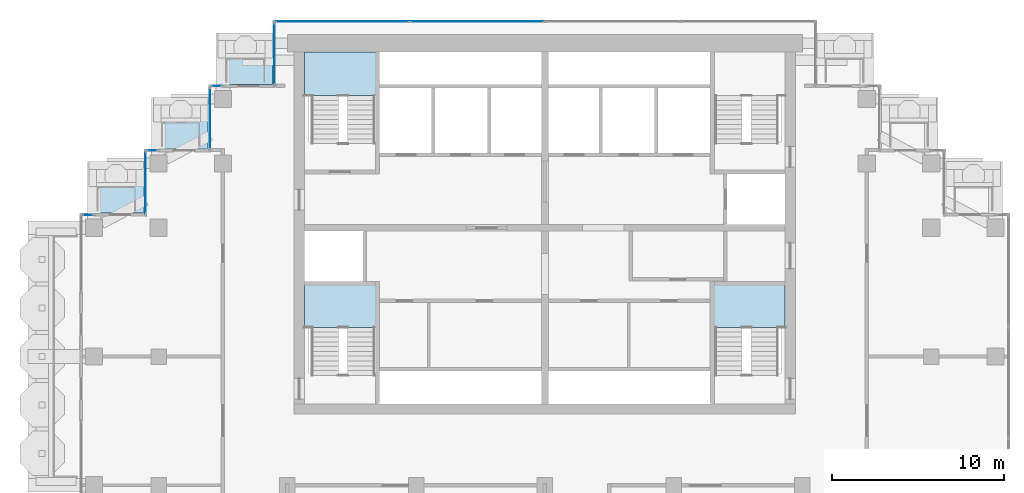
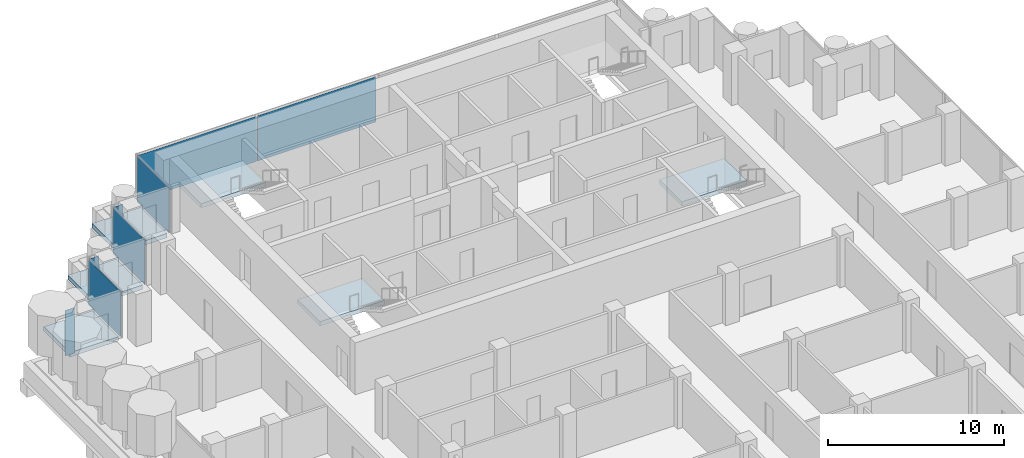
# One storey, part 9 of 18: 8 plates, 6 slabs, 10 elements without a shape of their own.
"""IFC4 building model written with IfcOpenShell, lengths in metres."""

from ifc_helpers import new_model, si_unit, direction, frame, origin, origin_2d, place, context, subcontext, project, spatial, polyline, rectangle, outline, extrude, material, layer, layer_set, type_object, element, aggregate, save


model = new_model("IFC4")

# Units and contexts
model_context = context("Model", 3, precision=1e-05, world=origin(), true_north=direction((0.0, 1.0)))
body_context = subcontext(model_context, "Body", "Model", "MODEL_VIEW")
ifc_project = project(units=[si_unit("LENGTHUNIT", "METRE"), si_unit("AREAUNIT", "SQUARE_METRE"), si_unit("VOLUMEUNIT", "CUBIC_METRE"), si_unit("PLANEANGLEUNIT", "RADIAN"), si_unit("MASSUNIT", "GRAM", prefix="KILO")], contexts=[model_context])

# Site, building, storey
site_placement = place(None, origin())
site = spatial("IfcSite", under=ifc_project, at=site_placement, CompositionType="ELEMENT")
building_placement = place(site_placement, origin())
building = spatial("IfcBuilding", under=site, at=building_placement, Name="Pilkhan Gate Tower", CompositionType="ELEMENT")
storey_placement = place(building_placement, frame((0.0, 0.0, 192.300048828125)))
storey = spatial("IfcBuildingStorey", under=building, at=storey_placement, Name="L49", CompositionType="ELEMENT", Elevation=192.300048828125)

# Slabs
ifc_material_1 = material(Name="Concrete C60/75", Category="concrete")
ifc_layer_1 = layer(ifc_material_1, 0.300048828125)
ifc_layer_set_1 = layer_set([ifc_layer_1], Name="Balcony tray slab TR300")
slab_type_1 = type_object("IfcSlabType", Name="Balcony tray slab TR300", PredefinedType="FLOOR", material=ifc_layer_set_1)
slab_1_placement = place(storey_placement, frame((0.0, 0.0, -0.300048828125)))
element("IfcSlab", 1, at=slab_1_placement, inside=storey, type_object=slab_type_1, Name="Balcony tray L49 N", PredefinedType="FLOOR", context=body_context, shape_type="SweptSolid", body=[
    extrude(outline(polyline([(59.14990234375, 90.85009765625), (59.14990234375, 93.85009765625), (55.949951171875, 93.85009765625), (55.949951171875, 90.85009765625), (59.14990234375, 90.85009765625)])), origin(), (0.0, 0.0, 1.0), 0.300048828125),
])
slab_2_placement = place(storey_placement, frame((0.0, 0.0, -0.300048828125)))
element("IfcSlab", 2, at=slab_2_placement, inside=storey, type_object=slab_type_1, Name="Balcony tray L49 N", PredefinedType="FLOOR", context=body_context, shape_type="SweptSolid", body=[
    extrude(outline(polyline([(55.3798828125, 87.1201171875), (55.3798828125, 90.10009765625), (52.199951171875, 90.10009765625), (52.199951171875, 87.1201171875), (55.3798828125, 87.1201171875)])), origin(), (0.0, 0.0, 1.0), 0.300048828125),
])
slab_3_placement = place(storey_placement, frame((0.0, 0.0, -0.300048828125)))
element("IfcSlab", 3, at=slab_3_placement, inside=storey, type_object=slab_type_1, Name="Balcony tray L49 N", PredefinedType="FLOOR", context=body_context, shape_type="SweptSolid", body=[
    extrude(outline(polyline([(51.6298828125, 83.3701171875), (51.6298828125, 86.35009765625), (48.449951171875, 86.35009765625), (48.449951171875, 83.3701171875), (51.6298828125, 83.3701171875)])), origin(), (0.0, 0.0, 1.0), 0.300048828125),
])

# Curtain wall, plates
ifc_material_2 = material(Name="Pale anodised aluminium, clear low-iron double glazing", Category="aluminium")
curtain_wall_type = type_object("IfcCurtainWallType", Name="Office unitised curtain wall CW-O2", PredefinedType="USERDEFINED", material=ifc_material_2)
curtain_wall_1_placement = place(storey_placement, origin())
curtain_wall_1 = element("IfcCurtainWall", 4, at=curtain_wall_1_placement, inside=storey, type_object=curtain_wall_type, Name="Office unitised curtain wall CW-O2 L49 N", ObjectType="UNITISED CURTAIN WALL", PredefinedType="USERDEFINED")
ifc_material_3 = material(Name="Clear low-iron double glazing", Category="glass")
ifc_layer_2 = layer(ifc_material_3, 0.031982421875)
ifc_layer_set_2 = layer_set([ifc_layer_2], Name="Glass panel CW-O2 32")
plate_type = type_object("IfcPlateType", Name="Glass panel CW-O2 32", PredefinedType="CURTAIN_PANEL", material=ifc_layer_set_2)
plate_1_placement = place(storey_placement, frame((63.203857421875, 94.5, 0.0), z_axis=(0.0, 0.0, 1.0), x_axis=(1.0, 0.0, 0.0)))
plate_1 = element("IfcPlate", 5, at=plate_1_placement, type_object=plate_type, Name="CW-O2 panel 1", PredefinedType="CURTAIN_PANEL", context=body_context, shape_type="SweptSolid", body=[
    extrude(rectangle(XDim=7.777587890625, YDim=0.031982421875, at=origin_2d()), origin(), (0.0, 0.0, 1.0), 3.135009765625),
])
plate_2_placement = place(storey_placement, frame((71.046142578125, 94.5, 0.0), z_axis=(0.0, 0.0, 1.0), x_axis=(1.0, 0.0, 0.0)))
plate_2 = element("IfcPlate", 6, at=plate_2_placement, type_object=plate_type, Name="CW-O2 panel 2", PredefinedType="CURTAIN_PANEL", context=body_context, shape_type="SweptSolid", body=[
    extrude(rectangle(XDim=7.777587890625, YDim=0.031982421875, at=origin_2d()), origin(), (0.0, 0.0, 1.0), 3.135009765625),
])
aggregate(curtain_wall_1, [plate_1, plate_2])

# Curtain wall, plate
curtain_wall_2_placement = place(storey_placement, origin())
curtain_wall_2 = element("IfcCurtainWall", 7, at=curtain_wall_2_placement, inside=storey, type_object=curtain_wall_type, Name="Office unitised curtain wall CW-O2 L49 W", ObjectType="UNITISED CURTAIN WALL", PredefinedType="USERDEFINED")
plate_3_placement = place(storey_placement, frame((59.25, 92.625, 0.0), z_axis=(0.0, 0.0, 1.0), x_axis=(0.0, 1.0, 0.0)))
plate_3 = element("IfcPlate", 8, at=plate_3_placement, type_object=plate_type, Name="CW-O2 panel 1", PredefinedType="CURTAIN_PANEL", context=body_context, shape_type="SweptSolid", body=[
    extrude(rectangle(XDim=3.6201171875, YDim=0.031982421875, at=origin_2d()), origin(), (0.0, 0.0, 1.0), 3.135009765625),
])
aggregate(curtain_wall_2, [plate_3])

curtain_wall_3_placement = place(storey_placement, origin())
curtain_wall_3 = element("IfcCurtainWall", 9, at=curtain_wall_3_placement, inside=storey, type_object=curtain_wall_type, Name="Office unitised curtain wall CW-O2 L49 N", ObjectType="UNITISED CURTAIN WALL", PredefinedType="USERDEFINED")
plate_4_placement = place(storey_placement, frame((55.875, 90.75, 0.0), z_axis=(0.0, 0.0, 1.0), x_axis=(1.0, 0.0, 0.0)))
plate_4 = element("IfcPlate", 10, at=plate_4_placement, type_object=plate_type, Name="CW-O2 panel 1", PredefinedType="CURTAIN_PANEL", context=body_context, shape_type="SweptSolid", body=[
    extrude(rectangle(XDim=0.6201171875, YDim=0.031982421875, at=origin_2d()), origin(), (0.0, 0.0, 1.0), 3.135009765625),
])
aggregate(curtain_wall_3, [plate_4])

curtain_wall_4_placement = place(storey_placement, origin())
curtain_wall_4 = element("IfcCurtainWall", 11, at=curtain_wall_4_placement, inside=storey, type_object=curtain_wall_type, Name="Office unitised curtain wall CW-O2 L49 W", ObjectType="UNITISED CURTAIN WALL", PredefinedType="USERDEFINED")
plate_5_placement = place(storey_placement, frame((55.5, 88.875, 0.0), z_axis=(0.0, 0.0, 1.0), x_axis=(0.0, 1.0, 0.0)))
plate_5 = element("IfcPlate", 12, at=plate_5_placement, type_object=plate_type, Name="CW-O2 panel 1", PredefinedType="CURTAIN_PANEL", context=body_context, shape_type="SweptSolid", body=[
    extrude(rectangle(XDim=3.6201171875, YDim=0.031982421875, at=origin_2d()), origin(), (0.0, 0.0, 1.0), 3.135009765625),
])
aggregate(curtain_wall_4, [plate_5])

curtain_wall_5_placement = place(storey_placement, origin())
curtain_wall_5 = element("IfcCurtainWall", 13, at=curtain_wall_5_placement, inside=storey, type_object=curtain_wall_type, Name="Office unitised curtain wall CW-O2 L49 N", ObjectType="UNITISED CURTAIN WALL", PredefinedType="USERDEFINED")
plate_6_placement = place(storey_placement, frame((52.125, 87.0, 0.0), z_axis=(0.0, 0.0, 1.0), x_axis=(1.0, 0.0, 0.0)))
plate_6 = element("IfcPlate", 14, at=plate_6_placement, type_object=plate_type, Name="CW-O2 panel 1", PredefinedType="CURTAIN_PANEL", context=body_context, shape_type="SweptSolid", body=[
    extrude(rectangle(XDim=0.6201171875, YDim=0.031982421875, at=origin_2d()), origin(), (0.0, 0.0, 1.0), 3.135009765625),
])
aggregate(curtain_wall_5, [plate_6])

curtain_wall_6_placement = place(storey_placement, origin())
curtain_wall_6 = element("IfcCurtainWall", 15, at=curtain_wall_6_placement, inside=storey, type_object=curtain_wall_type, Name="Office unitised curtain wall CW-O2 L49 W", ObjectType="UNITISED CURTAIN WALL", PredefinedType="USERDEFINED")
plate_7_placement = place(storey_placement, frame((51.75, 85.125, 0.0), z_axis=(0.0, 0.0, 1.0), x_axis=(0.0, 1.0, 0.0)))
plate_7 = element("IfcPlate", 16, at=plate_7_placement, type_object=plate_type, Name="CW-O2 panel 1", PredefinedType="CURTAIN_PANEL", context=body_context, shape_type="SweptSolid", body=[
    extrude(rectangle(XDim=3.6201171875, YDim=0.031982421875, at=origin_2d()), origin(), (0.0, 0.0, 1.0), 3.135009765625),
])
aggregate(curtain_wall_6, [plate_7])

curtain_wall_7_placement = place(storey_placement, origin())
curtain_wall_7 = element("IfcCurtainWall", 17, at=curtain_wall_7_placement, inside=storey, type_object=curtain_wall_type, Name="Office unitised curtain wall CW-O2 L49 N", ObjectType="UNITISED CURTAIN WALL", PredefinedType="USERDEFINED")
plate_8_placement = place(storey_placement, frame((48.375, 83.25, 0.0), z_axis=(0.0, 0.0, 1.0), x_axis=(1.0, 0.0, 0.0)))
plate_8 = element("IfcPlate", 18, at=plate_8_placement, type_object=plate_type, Name="CW-O2 panel 1", PredefinedType="CURTAIN_PANEL", context=body_context, shape_type="SweptSolid", body=[
    extrude(rectangle(XDim=0.6201171875, YDim=0.031982421875, at=origin_2d()), origin(), (0.0, 0.0, 1.0), 3.135009765625),
])
aggregate(curtain_wall_7, [plate_8])

# Stair, slab
ifc_material_4 = material(Name="Concrete C40/50 precast", Category="concrete")
stair_type_1 = type_object("IfcStairType", Name="Stair ST1 164x280", PredefinedType="HALF_TURN_STAIR", material=ifc_material_4)
stair_1_placement = place(storey_placement, origin())
stair_1 = element("IfcStair", 19, at=stair_1_placement, inside=storey, type_object=stair_type_1, Name="Stair ST1 L49", PredefinedType="HALF_TURN_STAIR")
ifc_material_5 = material(Name="Concrete C40/50", Category="concrete")
ifc_layer_3 = layer(ifc_material_5, 0.199951171875)
ifc_layer_set_3 = layer_set([ifc_layer_3], Name="Stair landing SL200")
slab_type_2 = type_object("IfcSlabType", Name="Stair landing SL200", PredefinedType="LANDING", material=ifc_layer_set_3)
slab_4_placement = place(storey_placement, frame((0.0, 0.0, 1.5)))
slab_4 = element("IfcSlab", 20, at=slab_4_placement, type_object=slab_type_2, Name="ST1 landing 1", PredefinedType="LANDING", context=body_context, shape_type="SweptSolid", body=[
    extrude(outline(polyline([(89.0, 76.699951171875), (89.0, 79.25), (84.75, 79.25), (84.75, 76.699951171875), (89.0, 76.699951171875)])), origin(), (0.0, 0.0, 1.0), 0.300048828125),
])
aggregate(stair_1, [slab_4])

stair_type_2 = type_object("IfcStairType", Name="Stair ST2 164x280", PredefinedType="HALF_TURN_STAIR", material=ifc_material_4)
stair_2_placement = place(storey_placement, origin())
stair_2 = element("IfcStair", 21, at=stair_2_placement, inside=storey, type_object=stair_type_2, Name="Stair ST2 L49", PredefinedType="HALF_TURN_STAIR")
slab_5_placement = place(storey_placement, frame((0.0, 0.0, 1.5)))
slab_5 = element("IfcSlab", 22, at=slab_5_placement, type_object=slab_type_2, Name="ST2 landing 1", PredefinedType="LANDING", context=body_context, shape_type="SweptSolid", body=[
    extrude(outline(polyline([(65.25, 76.699951171875), (65.25, 79.25), (61.0, 79.25), (61.0, 76.699951171875), (65.25, 76.699951171875)])), origin(), (0.0, 0.0, 1.0), 0.300048828125),
])
aggregate(stair_2, [slab_5])

stair_type_3 = type_object("IfcStairType", Name="Stair ST3 164x280", PredefinedType="HALF_TURN_STAIR", material=ifc_material_4)
stair_3_placement = place(storey_placement, origin())
stair_3 = element("IfcStair", 23, at=stair_3_placement, inside=storey, type_object=stair_type_3, Name="Stair ST3 L49", PredefinedType="HALF_TURN_STAIR")
slab_6_placement = place(storey_placement, frame((0.0, 0.0, 1.5)))
slab_6 = element("IfcSlab", 24, at=slab_6_placement, type_object=slab_type_2, Name="ST3 landing 1", PredefinedType="LANDING", context=body_context, shape_type="SweptSolid", body=[
    extrude(outline(polyline([(65.25, 90.199951171875), (65.25, 92.75), (61.0, 92.75), (61.0, 90.199951171875), (65.25, 90.199951171875)])), origin(), (0.0, 0.0, 1.0), 0.300048828125),
])
aggregate(stair_3, [slab_6])

save(model, "model.ifc")
